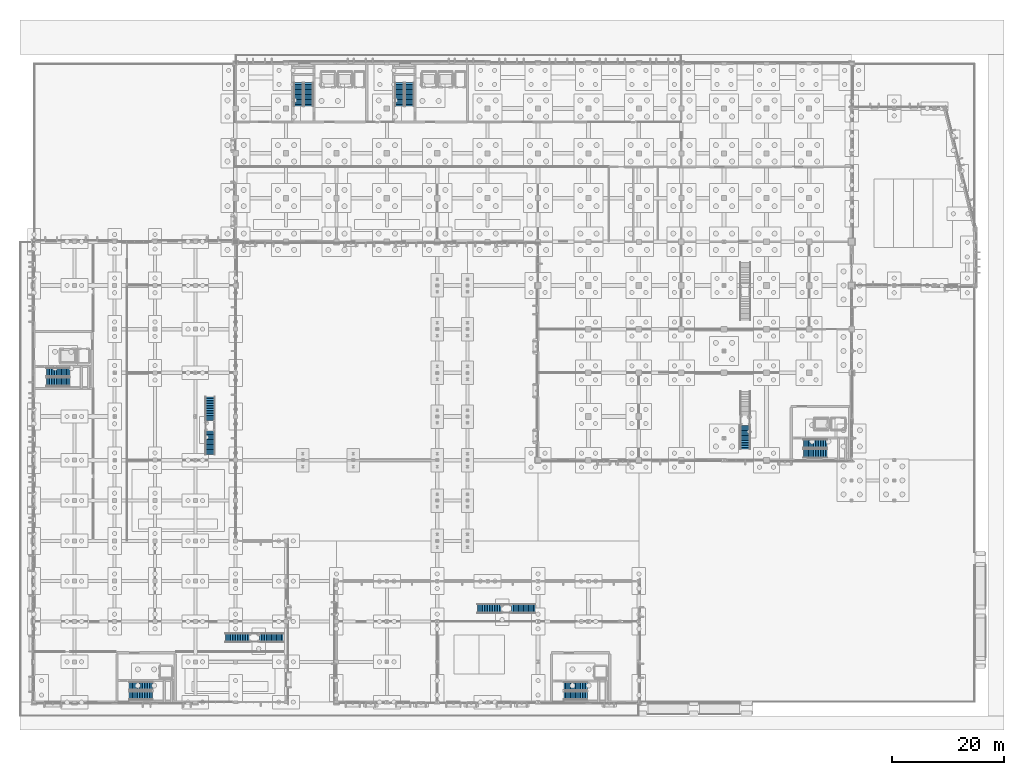
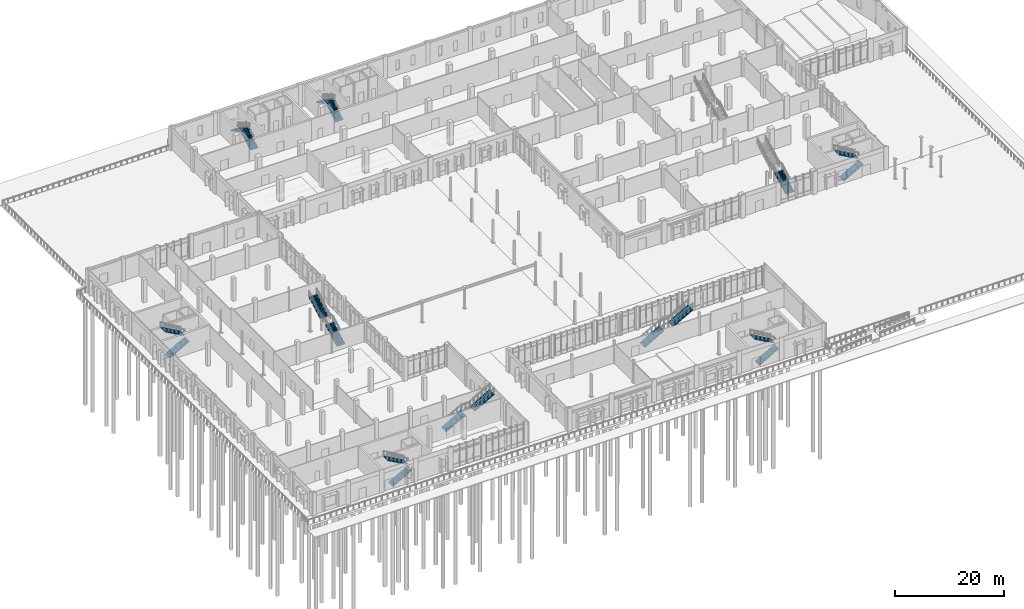
# One storey, part 71 of 94: 19 stair flights, 10 elements without a shape of their own.
"""IFC4 building model written with IfcOpenShell, lengths in metres."""

from ifc_helpers import new_model, si_unit, direction, frame, origin, place, context, subcontext, project, spatial, polyline, outline, extrude, material, type_object, element, aggregate, save


model = new_model("IFC4")

# Units and contexts
model_context = context("Model", 3, precision=1e-05, world=origin(), true_north=direction((0.0, 1.0)))
body_context = subcontext(model_context, "Body", "Model", "MODEL_VIEW")
ifc_project = project(units=[si_unit("LENGTHUNIT", "METRE"), si_unit("AREAUNIT", "SQUARE_METRE"), si_unit("VOLUMEUNIT", "CUBIC_METRE"), si_unit("PLANEANGLEUNIT", "RADIAN"), si_unit("MASSUNIT", "GRAM", prefix="KILO")], contexts=[model_context])

# Site, building, storey
site_placement = place(None, origin())
site = spatial("IfcSite", under=ifc_project, at=site_placement, CompositionType="ELEMENT")
building_placement = place(site_placement, origin())
building = spatial("IfcBuilding", under=site, at=building_placement, Name="Vervanel Yard Central Library", CompositionType="ELEMENT")
storey_placement = place(building_placement, origin())
storey = spatial("IfcBuildingStorey", under=building, at=storey_placement, Name="L00", CompositionType="ELEMENT", Elevation=0.0)

# Stair, stair flight
ifc_material_1 = material(Name="Concrete C45/55", Category="concrete")
stair_type_1 = type_object("IfcStairType", Name="Architectural Feature Straight Stair FS-ST-01", PredefinedType="STRAIGHT_RUN_STAIR", material=ifc_material_1)
stair_1_placement = place(storey_placement, origin())
stair_1 = element("IfcStair", 1, at=stair_1_placement, inside=storey, type_object=stair_type_1, Name="L00 Feature Stair FS-ST-01", PredefinedType="STRAIGHT_RUN_STAIR")
stair_flight_type_1 = type_object("IfcStairFlightType", Name="Feature Stair Flight FS-ST-01-FL", PredefinedType="STRAIGHT", material=ifc_material_1)
stair_flight_1_placement = place(storey_placement, frame((127.0, 45.199951171875, 0.0), z_axis=(0.0, 0.0, 1.0), x_axis=(0.0, 1.0, 0.0)))
stair_flight_1 = element("IfcStairFlight", 2, at=stair_flight_1_placement, type_object=stair_flight_type_1, Name="FST-01-L00 Flight 1", NumberOfRisers=15, NumberOfTreads=14, PredefinedType="STRAIGHT", RiserHeight=0.17, TreadLength=0.3, context=body_context, shape_type="SweptSolid", body=[
    extrude(outline(polyline([(0.0, 0.0), (0.0, 0.169921875), (0.300048828125, 0.169921875), (0.300048828125, 0.340087890625), (0.60009765625, 0.340087890625), (0.60009765625, 0.510009765625), (0.89990234375, 0.510009765625), (0.89990234375, 0.679931640625), (1.199951171875, 0.679931640625), (1.199951171875, 0.85009765625), (1.5, 0.85009765625), (1.5, 1.02001953125), (1.800048828125, 1.02001953125), (1.800048828125, 1.18994140625), (2.10009765625, 1.18994140625), (2.10009765625, 1.360107421875), (2.39990234375, 1.360107421875), (2.39990234375, 1.530029296875), (2.699951171875, 1.530029296875), (2.699951171875, 1.699951171875), (3.0, 1.699951171875), (3.0, 1.8701171875), (3.300048828125, 1.8701171875), (3.300048828125, 2.0400390625), (3.60009765625, 2.0400390625), (3.60009765625, 2.2099609375), (3.89990234375, 2.2099609375), (3.89990234375, 2.3798828125), (4.199951171875, 2.3798828125), (4.199951171875, 2.550048828125), (4.199951171875, 2.150146484375), (0.405517578125, 0.0), (0.0, 0.0)])), frame((0.0, 0.89990234375, 0.0), z_axis=(0.0, -1.0, 0.0), x_axis=(1.0, 0.0, 0.0)), (0.0, 0.0, 1.0), 1.800048828125),
])
aggregate(stair_1, [stair_flight_1])

# Stair, stair flights
stair_type_2 = type_object("IfcStairType", Name="Architectural Feature Straight Stair FS-ST-05", PredefinedType="STRAIGHT_RUN_STAIR", material=ifc_material_1)
stair_2_placement = place(storey_placement, origin())
stair_2 = element("IfcStair", 3, at=stair_2_placement, inside=storey, type_object=stair_type_2, Name="L00 Feature Stair FS-ST-05", PredefinedType="STRAIGHT_RUN_STAIR")
stair_flight_type_2 = type_object("IfcStairFlightType", Name="Feature Stair Flight FS-ST-05-FL", PredefinedType="STRAIGHT", material=ifc_material_1)
stair_flight_2_placement = place(storey_placement, frame((31.449951171875, 44.199951171875, 0.0), z_axis=(0.0, 0.0, 1.0), x_axis=(0.0, 1.0, 0.0)))
stair_flight_2 = element("IfcStairFlight", 4, at=stair_flight_2_placement, type_object=stair_flight_type_2, Name="FST-05-L00 Flight 1", NumberOfRisers=15, NumberOfTreads=14, PredefinedType="STRAIGHT", RiserHeight=0.17, TreadLength=0.3, context=body_context, shape_type="SweptSolid", body=[
    extrude(outline(polyline([(0.0, 0.0), (0.0, 0.169921875), (0.300048828125, 0.169921875), (0.300048828125, 0.340087890625), (0.60009765625, 0.340087890625), (0.60009765625, 0.510009765625), (0.89990234375, 0.510009765625), (0.89990234375, 0.679931640625), (1.199951171875, 0.679931640625), (1.199951171875, 0.85009765625), (1.5, 0.85009765625), (1.5, 1.02001953125), (1.800048828125, 1.02001953125), (1.800048828125, 1.18994140625), (2.10009765625, 1.18994140625), (2.10009765625, 1.360107421875), (2.39990234375, 1.360107421875), (2.39990234375, 1.530029296875), (2.699951171875, 1.530029296875), (2.699951171875, 1.699951171875), (3.0, 1.699951171875), (3.0, 1.8701171875), (3.300048828125, 1.8701171875), (3.300048828125, 2.0400390625), (3.60009765625, 2.0400390625), (3.60009765625, 2.2099609375), (3.89990234375, 2.2099609375), (3.89990234375, 2.3798828125), (4.199951171875, 2.3798828125), (4.199951171875, 2.550048828125), (4.199951171875, 2.150146484375), (0.405517578125, 0.0), (0.0, 0.0)])), frame((0.0, 0.85986328125, 0.0), z_axis=(0.0, -1.0, 0.0), x_axis=(1.0, 0.0, 0.0)), (0.0, 0.0, 1.0), 1.719970703125),
])
stair_flight_3_placement = place(storey_placement, frame((31.449951171875, 50.300048828125, 2.550048828125), z_axis=(0.0, 0.0, 1.0), x_axis=(0.0, 1.0, 0.0)))
stair_flight_3 = element("IfcStairFlight", 5, at=stair_flight_3_placement, type_object=stair_flight_type_2, Name="FST-05-L00 Flight 2", NumberOfRisers=15, NumberOfTreads=14, PredefinedType="STRAIGHT", RiserHeight=0.17, TreadLength=0.3, context=body_context, shape_type="SweptSolid", body=[
    extrude(outline(polyline([(0.0, 0.0), (0.0, 0.169921875), (0.300048828125, 0.169921875), (0.300048828125, 0.340087890625), (0.60009765625, 0.340087890625), (0.60009765625, 0.510009765625), (0.89990234375, 0.510009765625), (0.89990234375, 0.679931640625), (1.199951171875, 0.679931640625), (1.199951171875, 0.85009765625), (1.5, 0.85009765625), (1.5, 1.02001953125), (1.800048828125, 1.02001953125), (1.800048828125, 1.18994140625), (2.10009765625, 1.18994140625), (2.10009765625, 1.360107421875), (2.39990234375, 1.360107421875), (2.39990234375, 1.530029296875), (2.699951171875, 1.530029296875), (2.699951171875, 1.699951171875), (3.0, 1.699951171875), (3.0, 1.8701171875), (3.300048828125, 1.8701171875), (3.300048828125, 2.0400390625), (3.60009765625, 2.0400390625), (3.60009765625, 2.2099609375), (3.89990234375, 2.2099609375), (3.89990234375, 2.3798828125), (4.199951171875, 2.3798828125), (4.199951171875, 2.550048828125), (4.199951171875, 2.150146484375), (0.405517578125, 0.0), (0.0, 0.0)])), frame((0.0, 0.85986328125, 0.0), z_axis=(0.0, -1.0, 0.0), x_axis=(1.0, 0.0, 0.0)), (0.0, 0.0, 1.0), 1.719970703125),
])
aggregate(stair_2, [stair_flight_2, stair_flight_3])

stair_type_3 = type_object("IfcStairType", Name="Architectural Feature Straight Stair FS-ST-06", PredefinedType="STRAIGHT_RUN_STAIR", material=ifc_material_1)
stair_3_placement = place(storey_placement, origin())
stair_3 = element("IfcStair", 6, at=stair_3_placement, inside=storey, type_object=stair_type_3, Name="L00 Feature Stair FS-ST-06", PredefinedType="STRAIGHT_RUN_STAIR")
stair_flight_type_3 = type_object("IfcStairFlightType", Name="Feature Stair Flight FS-ST-06-FL", PredefinedType="STRAIGHT", material=ifc_material_1)
stair_flight_4_placement = place(storey_placement, frame((79.199951171875, 16.699951171875, 0.0), z_axis=(0.0, 0.0, 1.0), x_axis=(1.0, 0.0, 0.0)))
stair_flight_4 = element("IfcStairFlight", 7, at=stair_flight_4_placement, type_object=stair_flight_type_3, Name="FST-06-L00 Flight 1", NumberOfRisers=15, NumberOfTreads=14, PredefinedType="STRAIGHT", RiserHeight=0.17, TreadLength=0.3, context=body_context, shape_type="SweptSolid", body=[
    extrude(outline(polyline([(0.0, 0.0), (0.0, 0.169921875), (0.300048828125, 0.169921875), (0.300048828125, 0.340087890625), (0.60009765625, 0.340087890625), (0.60009765625, 0.510009765625), (0.89990234375, 0.510009765625), (0.89990234375, 0.679931640625), (1.199951171875, 0.679931640625), (1.199951171875, 0.85009765625), (1.5, 0.85009765625), (1.5, 1.02001953125), (1.800048828125, 1.02001953125), (1.800048828125, 1.18994140625), (2.10009765625, 1.18994140625), (2.10009765625, 1.360107421875), (2.39990234375, 1.360107421875), (2.39990234375, 1.530029296875), (2.699951171875, 1.530029296875), (2.699951171875, 1.699951171875), (3.0, 1.699951171875), (3.0, 1.8701171875), (3.300048828125, 1.8701171875), (3.300048828125, 2.0400390625), (3.60009765625, 2.0400390625), (3.60009765625, 2.2099609375), (3.89990234375, 2.2099609375), (3.89990234375, 2.3798828125), (4.199951171875, 2.3798828125), (4.199951171875, 2.550048828125), (4.199951171875, 2.150146484375), (0.405517578125, 0.0), (0.0, 0.0)])), frame((0.0, 0.830078125, 0.0), z_axis=(0.0, -1.0, 0.0), x_axis=(1.0, 0.0, 0.0)), (0.0, 0.0, 1.0), 1.659912109375),
])
stair_flight_5_placement = place(storey_placement, frame((85.300048828125, 16.699951171875, 2.550048828125), z_axis=(0.0, 0.0, 1.0), x_axis=(1.0, 0.0, 0.0)))
stair_flight_5 = element("IfcStairFlight", 8, at=stair_flight_5_placement, type_object=stair_flight_type_3, Name="FST-06-L00 Flight 2", NumberOfRisers=15, NumberOfTreads=14, PredefinedType="STRAIGHT", RiserHeight=0.17, TreadLength=0.3, context=body_context, shape_type="SweptSolid", body=[
    extrude(outline(polyline([(0.0, 0.0), (0.0, 0.169921875), (0.300048828125, 0.169921875), (0.300048828125, 0.340087890625), (0.60009765625, 0.340087890625), (0.60009765625, 0.510009765625), (0.89990234375, 0.510009765625), (0.89990234375, 0.679931640625), (1.199951171875, 0.679931640625), (1.199951171875, 0.85009765625), (1.5, 0.85009765625), (1.5, 1.02001953125), (1.800048828125, 1.02001953125), (1.800048828125, 1.18994140625), (2.10009765625, 1.18994140625), (2.10009765625, 1.360107421875), (2.39990234375, 1.360107421875), (2.39990234375, 1.530029296875), (2.699951171875, 1.530029296875), (2.699951171875, 1.699951171875), (3.0, 1.699951171875), (3.0, 1.8701171875), (3.300048828125, 1.8701171875), (3.300048828125, 2.0400390625), (3.60009765625, 2.0400390625), (3.60009765625, 2.2099609375), (3.89990234375, 2.2099609375), (3.89990234375, 2.3798828125), (4.199951171875, 2.3798828125), (4.199951171875, 2.550048828125), (4.199951171875, 2.150146484375), (0.405517578125, 0.0), (0.0, 0.0)])), frame((0.0, 0.830078125, 0.0), z_axis=(0.0, -1.0, 0.0), x_axis=(1.0, 0.0, 0.0)), (0.0, 0.0, 1.0), 1.659912109375),
])
aggregate(stair_3, [stair_flight_4, stair_flight_5])

stair_type_4 = type_object("IfcStairType", Name="Architectural Feature Straight Stair FS-ST-07", PredefinedType="STRAIGHT_RUN_STAIR", material=ifc_material_1)
stair_4_placement = place(storey_placement, origin())
stair_4 = element("IfcStair", 9, at=stair_4_placement, inside=storey, type_object=stair_type_4, Name="L00 Feature Stair FS-ST-07", PredefinedType="STRAIGHT_RUN_STAIR")
stair_flight_type_4 = type_object("IfcStairFlightType", Name="Feature Stair Flight FS-ST-07-FL", PredefinedType="STRAIGHT", material=ifc_material_1)
stair_flight_6_placement = place(storey_placement, frame((34.199951171875, 11.5, 0.0), z_axis=(0.0, 0.0, 1.0), x_axis=(1.0, 0.0, 0.0)))
stair_flight_6 = element("IfcStairFlight", 10, at=stair_flight_6_placement, type_object=stair_flight_type_4, Name="FST-07-L00 Flight 1", NumberOfRisers=15, NumberOfTreads=14, PredefinedType="STRAIGHT", RiserHeight=0.17, TreadLength=0.3, context=body_context, shape_type="SweptSolid", body=[
    extrude(outline(polyline([(0.0, 0.0), (0.0, 0.169921875), (0.300048828125, 0.169921875), (0.300048828125, 0.340087890625), (0.60009765625, 0.340087890625), (0.60009765625, 0.510009765625), (0.89990234375, 0.510009765625), (0.89990234375, 0.679931640625), (1.199951171875, 0.679931640625), (1.199951171875, 0.85009765625), (1.5, 0.85009765625), (1.5, 1.02001953125), (1.800048828125, 1.02001953125), (1.800048828125, 1.18994140625), (2.10009765625, 1.18994140625), (2.10009765625, 1.360107421875), (2.39990234375, 1.360107421875), (2.39990234375, 1.530029296875), (2.699951171875, 1.530029296875), (2.699951171875, 1.699951171875), (3.0, 1.699951171875), (3.0, 1.8701171875), (3.300048828125, 1.8701171875), (3.300048828125, 2.0400390625), (3.60009765625, 2.0400390625), (3.60009765625, 2.2099609375), (3.89990234375, 2.2099609375), (3.89990234375, 2.3798828125), (4.199951171875, 2.3798828125), (4.199951171875, 2.550048828125), (4.199951171875, 2.150146484375), (0.405517578125, 0.0), (0.0, 0.0)])), frame((0.0, 0.81494140625, 0.0), z_axis=(0.0, -1.0, 0.0), x_axis=(1.0, 0.0, 0.0)), (0.0, 0.0, 1.0), 1.6298828125),
])
stair_flight_7_placement = place(storey_placement, frame((40.300048828125, 11.5, 2.550048828125), z_axis=(0.0, 0.0, 1.0), x_axis=(1.0, 0.0, 0.0)))
stair_flight_7 = element("IfcStairFlight", 11, at=stair_flight_7_placement, type_object=stair_flight_type_4, Name="FST-07-L00 Flight 2", NumberOfRisers=15, NumberOfTreads=14, PredefinedType="STRAIGHT", RiserHeight=0.17, TreadLength=0.3, context=body_context, shape_type="SweptSolid", body=[
    extrude(outline(polyline([(0.0, 0.0), (0.0, 0.169921875), (0.300048828125, 0.169921875), (0.300048828125, 0.340087890625), (0.60009765625, 0.340087890625), (0.60009765625, 0.510009765625), (0.89990234375, 0.510009765625), (0.89990234375, 0.679931640625), (1.199951171875, 0.679931640625), (1.199951171875, 0.85009765625), (1.5, 0.85009765625), (1.5, 1.02001953125), (1.800048828125, 1.02001953125), (1.800048828125, 1.18994140625), (2.10009765625, 1.18994140625), (2.10009765625, 1.360107421875), (2.39990234375, 1.360107421875), (2.39990234375, 1.530029296875), (2.699951171875, 1.530029296875), (2.699951171875, 1.699951171875), (3.0, 1.699951171875), (3.0, 1.8701171875), (3.300048828125, 1.8701171875), (3.300048828125, 2.0400390625), (3.60009765625, 2.0400390625), (3.60009765625, 2.2099609375), (3.89990234375, 2.2099609375), (3.89990234375, 2.3798828125), (4.199951171875, 2.3798828125), (4.199951171875, 2.550048828125), (4.199951171875, 2.150146484375), (0.405517578125, 0.0), (0.0, 0.0)])), frame((0.0, 0.81494140625, 0.0), z_axis=(0.0, -1.0, 0.0), x_axis=(1.0, 0.0, 0.0)), (0.0, 0.0, 1.0), 1.6298828125),
])
aggregate(stair_4, [stair_flight_6, stair_flight_7])

ifc_material_2 = material(Name="Concrete C40/50", Category="concrete")
stair_type_5 = type_object("IfcStairType", Name="Protected Core Dog-Leg Stair ST-01", PredefinedType="HALF_TURN_STAIR", material=ifc_material_2)
stair_5_placement = place(storey_placement, origin())
stair_5 = element("IfcStair", 12, at=stair_5_placement, inside=storey, type_object=stair_type_5, Name="L00 CORE-A Protected Exit Stair", PredefinedType="HALF_TURN_STAIR")
stair_flight_type_5 = type_object("IfcStairFlightType", Name="Protected Stair Flight ST-01-FL", PredefinedType="STRAIGHT", material=ifc_material_2)
stair_flight_8_placement = place(storey_placement, frame((49.02490234375, 106.39990234375, 0.0), z_axis=(0.0, 0.0, 1.0), x_axis=(0.0, 1.0, 0.0)))
stair_flight_8 = element("IfcStairFlight", 13, at=stair_flight_8_placement, type_object=stair_flight_type_5, Name="ST-01 flight 1", NumberOfRisers=15, NumberOfTreads=14, PredefinedType="STRAIGHT", RiserHeight=0.17, TreadLength=0.3, context=body_context, shape_type="SweptSolid", body=[
    extrude(outline(polyline([(0.0, 0.0), (0.0, 0.169921875), (0.300048828125, 0.169921875), (0.300048828125, 0.340087890625), (0.60009765625, 0.340087890625), (0.60009765625, 0.510009765625), (0.89990234375, 0.510009765625), (0.89990234375, 0.679931640625), (1.199951171875, 0.679931640625), (1.199951171875, 0.85009765625), (1.5, 0.85009765625), (1.5, 1.02001953125), (1.800048828125, 1.02001953125), (1.800048828125, 1.18994140625), (2.10009765625, 1.18994140625), (2.10009765625, 1.360107421875), (2.39990234375, 1.360107421875), (2.39990234375, 1.530029296875), (2.699951171875, 1.530029296875), (2.699951171875, 1.699951171875), (3.0, 1.699951171875), (3.0, 1.8701171875), (3.300048828125, 1.8701171875), (3.300048828125, 2.0400390625), (3.60009765625, 2.0400390625), (3.60009765625, 2.2099609375), (3.89990234375, 2.2099609375), (3.89990234375, 2.3798828125), (4.199951171875, 2.3798828125), (4.199951171875, 2.550048828125), (4.199951171875, 2.207763671875), (0.303955078125, 0.0), (0.0, 0.0)])), frame((0.0, 0.824951171875, 0.0), z_axis=(0.0, -1.0, 0.0), x_axis=(1.0, 0.0, 0.0)), (0.0, 0.0, 1.0), 1.64990234375),
])
stair_flight_9_placement = place(storey_placement, frame((47.215087890625, 110.60009765625, 2.550048828125), z_axis=(0.0, 0.0, 1.0), x_axis=(0.0, -1.0, 0.0)))
stair_flight_9 = element("IfcStairFlight", 14, at=stair_flight_9_placement, type_object=stair_flight_type_5, Name="ST-01 flight 2", NumberOfRisers=15, NumberOfTreads=14, PredefinedType="STRAIGHT", RiserHeight=0.17, TreadLength=0.3, context=body_context, shape_type="SweptSolid", body=[
    extrude(outline(polyline([(0.0, 0.0), (0.0, 0.169921875), (0.300048828125, 0.169921875), (0.300048828125, 0.340087890625), (0.60009765625, 0.340087890625), (0.60009765625, 0.510009765625), (0.89990234375, 0.510009765625), (0.89990234375, 0.679931640625), (1.199951171875, 0.679931640625), (1.199951171875, 0.85009765625), (1.5, 0.85009765625), (1.5, 1.02001953125), (1.800048828125, 1.02001953125), (1.800048828125, 1.18994140625), (2.10009765625, 1.18994140625), (2.10009765625, 1.360107421875), (2.39990234375, 1.360107421875), (2.39990234375, 1.530029296875), (2.699951171875, 1.530029296875), (2.699951171875, 1.699951171875), (3.0, 1.699951171875), (3.0, 1.8701171875), (3.300048828125, 1.8701171875), (3.300048828125, 2.0400390625), (3.60009765625, 2.0400390625), (3.60009765625, 2.2099609375), (3.89990234375, 2.2099609375), (3.89990234375, 2.3798828125), (4.199951171875, 2.3798828125), (4.199951171875, 2.550048828125), (4.199951171875, 2.207763671875), (0.303955078125, 0.0), (0.0, 0.0)])), frame((0.0, 0.824951171875, 0.0), z_axis=(0.0, -1.0, 0.0), x_axis=(1.0, 0.0, 0.0)), (0.0, 0.0, 1.0), 1.64990234375),
])
aggregate(stair_5, [stair_flight_8, stair_flight_9])

stair_type_6 = type_object("IfcStairType", Name="Protected Core Dog-Leg Stair ST-02", PredefinedType="HALF_TURN_STAIR", material=ifc_material_2)
stair_6_placement = place(storey_placement, origin())
stair_6 = element("IfcStair", 15, at=stair_6_placement, inside=storey, type_object=stair_type_6, Name="L00 CORE-B Protected Exit Stair", PredefinedType="HALF_TURN_STAIR")
stair_flight_type_6 = type_object("IfcStairFlightType", Name="Protected Stair Flight ST-02-FL", PredefinedType="STRAIGHT", material=ifc_material_2)
stair_flight_10_placement = place(storey_placement, frame((67.0400390625, 106.39990234375, 0.0), z_axis=(0.0, 0.0, 1.0), x_axis=(0.0, 1.0, 0.0)))
stair_flight_10 = element("IfcStairFlight", 16, at=stair_flight_10_placement, type_object=stair_flight_type_6, Name="ST-02 flight 1", NumberOfRisers=15, NumberOfTreads=14, PredefinedType="STRAIGHT", RiserHeight=0.17, TreadLength=0.3, context=body_context, shape_type="SweptSolid", body=[
    extrude(outline(polyline([(0.0, 0.0), (0.0, 0.169921875), (0.300048828125, 0.169921875), (0.300048828125, 0.340087890625), (0.60009765625, 0.340087890625), (0.60009765625, 0.510009765625), (0.89990234375, 0.510009765625), (0.89990234375, 0.679931640625), (1.199951171875, 0.679931640625), (1.199951171875, 0.85009765625), (1.5, 0.85009765625), (1.5, 1.02001953125), (1.800048828125, 1.02001953125), (1.800048828125, 1.18994140625), (2.10009765625, 1.18994140625), (2.10009765625, 1.360107421875), (2.39990234375, 1.360107421875), (2.39990234375, 1.530029296875), (2.699951171875, 1.530029296875), (2.699951171875, 1.699951171875), (3.0, 1.699951171875), (3.0, 1.8701171875), (3.300048828125, 1.8701171875), (3.300048828125, 2.0400390625), (3.60009765625, 2.0400390625), (3.60009765625, 2.2099609375), (3.89990234375, 2.2099609375), (3.89990234375, 2.3798828125), (4.199951171875, 2.3798828125), (4.199951171875, 2.550048828125), (4.199951171875, 2.207763671875), (0.303955078125, 0.0), (0.0, 0.0)])), frame((0.0, 0.81005859375, 0.0), z_axis=(0.0, -1.0, 0.0), x_axis=(1.0, 0.0, 0.0)), (0.0, 0.0, 1.0), 1.6201171875),
])
stair_flight_11_placement = place(storey_placement, frame((65.260009765625, 110.60009765625, 2.550048828125), z_axis=(0.0, 0.0, 1.0), x_axis=(0.0, -1.0, 0.0)))
stair_flight_11 = element("IfcStairFlight", 17, at=stair_flight_11_placement, type_object=stair_flight_type_6, Name="ST-02 flight 2", NumberOfRisers=15, NumberOfTreads=14, PredefinedType="STRAIGHT", RiserHeight=0.17, TreadLength=0.3, context=body_context, shape_type="SweptSolid", body=[
    extrude(outline(polyline([(0.0, 0.0), (0.0, 0.169921875), (0.300048828125, 0.169921875), (0.300048828125, 0.340087890625), (0.60009765625, 0.340087890625), (0.60009765625, 0.510009765625), (0.89990234375, 0.510009765625), (0.89990234375, 0.679931640625), (1.199951171875, 0.679931640625), (1.199951171875, 0.85009765625), (1.5, 0.85009765625), (1.5, 1.02001953125), (1.800048828125, 1.02001953125), (1.800048828125, 1.18994140625), (2.10009765625, 1.18994140625), (2.10009765625, 1.360107421875), (2.39990234375, 1.360107421875), (2.39990234375, 1.530029296875), (2.699951171875, 1.530029296875), (2.699951171875, 1.699951171875), (3.0, 1.699951171875), (3.0, 1.8701171875), (3.300048828125, 1.8701171875), (3.300048828125, 2.0400390625), (3.60009765625, 2.0400390625), (3.60009765625, 2.2099609375), (3.89990234375, 2.2099609375), (3.89990234375, 2.3798828125), (4.199951171875, 2.3798828125), (4.199951171875, 2.550048828125), (4.199951171875, 2.207763671875), (0.303955078125, 0.0), (0.0, 0.0)])), frame((0.0, 0.81005859375, 0.0), z_axis=(0.0, -1.0, 0.0), x_axis=(1.0, 0.0, 0.0)), (0.0, 0.0, 1.0), 1.6201171875),
])
aggregate(stair_6, [stair_flight_10, stair_flight_11])

stair_type_7 = type_object("IfcStairType", Name="Protected Core Dog-Leg Stair ST-03", PredefinedType="HALF_TURN_STAIR", material=ifc_material_2)
stair_7_placement = place(storey_placement, origin())
stair_7 = element("IfcStair", 18, at=stair_7_placement, inside=storey, type_object=stair_type_7, Name="L00 CORE-C Protected Exit Stair", PredefinedType="HALF_TURN_STAIR")
stair_flight_type_7 = type_object("IfcStairFlightType", Name="Protected Stair Flight ST-03-FL", PredefinedType="STRAIGHT", material=ifc_material_2)
stair_flight_12_placement = place(storey_placement, frame((2.199951171875, 57.18994140625, 0.0), z_axis=(0.0, 0.0, 1.0), x_axis=(1.0, 0.0, 0.0)))
stair_flight_12 = element("IfcStairFlight", 19, at=stair_flight_12_placement, type_object=stair_flight_type_7, Name="ST-03 flight 1", NumberOfRisers=15, NumberOfTreads=14, PredefinedType="STRAIGHT", RiserHeight=0.17, TreadLength=0.3, context=body_context, shape_type="SweptSolid", body=[
    extrude(outline(polyline([(0.0, 0.0), (0.0, 0.169921875), (0.300048828125, 0.169921875), (0.300048828125, 0.340087890625), (0.60009765625, 0.340087890625), (0.60009765625, 0.510009765625), (0.89990234375, 0.510009765625), (0.89990234375, 0.679931640625), (1.199951171875, 0.679931640625), (1.199951171875, 0.85009765625), (1.5, 0.85009765625), (1.5, 1.02001953125), (1.800048828125, 1.02001953125), (1.800048828125, 1.18994140625), (2.10009765625, 1.18994140625), (2.10009765625, 1.360107421875), (2.39990234375, 1.360107421875), (2.39990234375, 1.530029296875), (2.699951171875, 1.530029296875), (2.699951171875, 1.699951171875), (3.0, 1.699951171875), (3.0, 1.8701171875), (3.300048828125, 1.8701171875), (3.300048828125, 2.0400390625), (3.60009765625, 2.0400390625), (3.60009765625, 2.2099609375), (3.89990234375, 2.2099609375), (3.89990234375, 2.3798828125), (4.199951171875, 2.3798828125), (4.199951171875, 2.550048828125), (4.199951171875, 2.207763671875), (0.303955078125, 0.0), (0.0, 0.0)])), frame((0.0, 0.7900390625, 0.0), z_axis=(0.0, -1.0, 0.0), x_axis=(1.0, 0.0, 0.0)), (0.0, 0.0, 1.0), 1.580078125),
])
stair_flight_13_placement = place(storey_placement, frame((6.39990234375, 58.929931640625, 2.550048828125), z_axis=(0.0, 0.0, 1.0), x_axis=(-1.0, 0.0, 0.0)))
stair_flight_13 = element("IfcStairFlight", 20, at=stair_flight_13_placement, type_object=stair_flight_type_7, Name="ST-03 flight 2", NumberOfRisers=15, NumberOfTreads=14, PredefinedType="STRAIGHT", RiserHeight=0.17, TreadLength=0.3, context=body_context, shape_type="SweptSolid", body=[
    extrude(outline(polyline([(0.0, 0.0), (0.0, 0.169921875), (0.300048828125, 0.169921875), (0.300048828125, 0.340087890625), (0.60009765625, 0.340087890625), (0.60009765625, 0.510009765625), (0.89990234375, 0.510009765625), (0.89990234375, 0.679931640625), (1.199951171875, 0.679931640625), (1.199951171875, 0.85009765625), (1.5, 0.85009765625), (1.5, 1.02001953125), (1.800048828125, 1.02001953125), (1.800048828125, 1.18994140625), (2.10009765625, 1.18994140625), (2.10009765625, 1.360107421875), (2.39990234375, 1.360107421875), (2.39990234375, 1.530029296875), (2.699951171875, 1.530029296875), (2.699951171875, 1.699951171875), (3.0, 1.699951171875), (3.0, 1.8701171875), (3.300048828125, 1.8701171875), (3.300048828125, 2.0400390625), (3.60009765625, 2.0400390625), (3.60009765625, 2.2099609375), (3.89990234375, 2.2099609375), (3.89990234375, 2.3798828125), (4.199951171875, 2.3798828125), (4.199951171875, 2.550048828125), (4.199951171875, 2.207763671875), (0.303955078125, 0.0), (0.0, 0.0)])), frame((0.0, 0.7900390625, 0.0), z_axis=(0.0, -1.0, 0.0), x_axis=(1.0, 0.0, 0.0)), (0.0, 0.0, 1.0), 1.580078125),
])
aggregate(stair_7, [stair_flight_12, stair_flight_13])

stair_type_8 = type_object("IfcStairType", Name="Protected Core Dog-Leg Stair ST-04", PredefinedType="HALF_TURN_STAIR", material=ifc_material_2)
stair_8_placement = place(storey_placement, origin())
stair_8 = element("IfcStair", 21, at=stair_8_placement, inside=storey, type_object=stair_type_8, Name="L00 CORE-D Protected Exit Stair", PredefinedType="HALF_TURN_STAIR")
stair_flight_type_8 = type_object("IfcStairFlightType", Name="Protected Stair Flight ST-04-FL", PredefinedType="STRAIGHT", material=ifc_material_2)
stair_flight_14_placement = place(storey_placement, frame((17.0, 1.175048828125, 0.0), z_axis=(0.0, 0.0, 1.0), x_axis=(1.0, 0.0, 0.0)))
stair_flight_14 = element("IfcStairFlight", 22, at=stair_flight_14_placement, type_object=stair_flight_type_8, Name="ST-04 flight 1", NumberOfRisers=15, NumberOfTreads=14, PredefinedType="STRAIGHT", RiserHeight=0.17, TreadLength=0.3, context=body_context, shape_type="SweptSolid", body=[
    extrude(outline(polyline([(0.0, 0.0), (0.0, 0.169921875), (0.300048828125, 0.169921875), (0.300048828125, 0.340087890625), (0.60009765625, 0.340087890625), (0.60009765625, 0.510009765625), (0.89990234375, 0.510009765625), (0.89990234375, 0.679931640625), (1.199951171875, 0.679931640625), (1.199951171875, 0.85009765625), (1.5, 0.85009765625), (1.5, 1.02001953125), (1.800048828125, 1.02001953125), (1.800048828125, 1.18994140625), (2.10009765625, 1.18994140625), (2.10009765625, 1.360107421875), (2.39990234375, 1.360107421875), (2.39990234375, 1.530029296875), (2.699951171875, 1.530029296875), (2.699951171875, 1.699951171875), (3.0, 1.699951171875), (3.0, 1.8701171875), (3.300048828125, 1.8701171875), (3.300048828125, 2.0400390625), (3.60009765625, 2.0400390625), (3.60009765625, 2.2099609375), (3.89990234375, 2.2099609375), (3.89990234375, 2.3798828125), (4.199951171875, 2.3798828125), (4.199951171875, 2.550048828125), (4.199951171875, 2.207763671875), (0.303955078125, 0.0), (0.0, 0.0)])), frame((0.0, 0.77490234375, 0.0), z_axis=(0.0, -1.0, 0.0), x_axis=(1.0, 0.0, 0.0)), (0.0, 0.0, 1.0), 1.550048828125),
])
stair_flight_15_placement = place(storey_placement, frame((21.199951171875, 2.885009765625, 2.550048828125), z_axis=(0.0, 0.0, 1.0), x_axis=(-1.0, 0.0, 0.0)))
stair_flight_15 = element("IfcStairFlight", 23, at=stair_flight_15_placement, type_object=stair_flight_type_8, Name="ST-04 flight 2", NumberOfRisers=15, NumberOfTreads=14, PredefinedType="STRAIGHT", RiserHeight=0.17, TreadLength=0.3, context=body_context, shape_type="SweptSolid", body=[
    extrude(outline(polyline([(0.0, 0.0), (0.0, 0.169921875), (0.300048828125, 0.169921875), (0.300048828125, 0.340087890625), (0.60009765625, 0.340087890625), (0.60009765625, 0.510009765625), (0.89990234375, 0.510009765625), (0.89990234375, 0.679931640625), (1.199951171875, 0.679931640625), (1.199951171875, 0.85009765625), (1.5, 0.85009765625), (1.5, 1.02001953125), (1.800048828125, 1.02001953125), (1.800048828125, 1.18994140625), (2.10009765625, 1.18994140625), (2.10009765625, 1.360107421875), (2.39990234375, 1.360107421875), (2.39990234375, 1.530029296875), (2.699951171875, 1.530029296875), (2.699951171875, 1.699951171875), (3.0, 1.699951171875), (3.0, 1.8701171875), (3.300048828125, 1.8701171875), (3.300048828125, 2.0400390625), (3.60009765625, 2.0400390625), (3.60009765625, 2.2099609375), (3.89990234375, 2.2099609375), (3.89990234375, 2.3798828125), (4.199951171875, 2.3798828125), (4.199951171875, 2.550048828125), (4.199951171875, 2.207763671875), (0.303955078125, 0.0), (0.0, 0.0)])), frame((0.0, 0.77490234375, 0.0), z_axis=(0.0, -1.0, 0.0), x_axis=(1.0, 0.0, 0.0)), (0.0, 0.0, 1.0), 1.550048828125),
])
aggregate(stair_8, [stair_flight_14, stair_flight_15])

stair_type_9 = type_object("IfcStairType", Name="Protected Core Dog-Leg Stair ST-05", PredefinedType="HALF_TURN_STAIR", material=ifc_material_2)
stair_9_placement = place(storey_placement, origin())
stair_9 = element("IfcStair", 24, at=stair_9_placement, inside=storey, type_object=stair_type_9, Name="L00 CORE-E Protected Exit Stair", PredefinedType="HALF_TURN_STAIR")
stair_flight_type_9 = type_object("IfcStairFlightType", Name="Protected Stair Flight ST-05-FL", PredefinedType="STRAIGHT", material=ifc_material_2)
stair_flight_16_placement = place(storey_placement, frame((137.39990234375, 44.39990234375, 0.0), z_axis=(0.0, 0.0, 1.0), x_axis=(1.0, 0.0, 0.0)))
stair_flight_16 = element("IfcStairFlight", 25, at=stair_flight_16_placement, type_object=stair_flight_type_9, Name="ST-05 flight 1", NumberOfRisers=15, NumberOfTreads=14, PredefinedType="STRAIGHT", RiserHeight=0.17, TreadLength=0.3, context=body_context, shape_type="SweptSolid", body=[
    extrude(outline(polyline([(0.0, 0.0), (0.0, 0.169921875), (0.300048828125, 0.169921875), (0.300048828125, 0.340087890625), (0.60009765625, 0.340087890625), (0.60009765625, 0.510009765625), (0.89990234375, 0.510009765625), (0.89990234375, 0.679931640625), (1.199951171875, 0.679931640625), (1.199951171875, 0.85009765625), (1.5, 0.85009765625), (1.5, 1.02001953125), (1.800048828125, 1.02001953125), (1.800048828125, 1.18994140625), (2.10009765625, 1.18994140625), (2.10009765625, 1.360107421875), (2.39990234375, 1.360107421875), (2.39990234375, 1.530029296875), (2.699951171875, 1.530029296875), (2.699951171875, 1.699951171875), (3.0, 1.699951171875), (3.0, 1.8701171875), (3.300048828125, 1.8701171875), (3.300048828125, 2.0400390625), (3.60009765625, 2.0400390625), (3.60009765625, 2.2099609375), (3.89990234375, 2.2099609375), (3.89990234375, 2.3798828125), (4.199951171875, 2.3798828125), (4.199951171875, 2.550048828125), (4.199951171875, 2.207763671875), (0.303955078125, 0.0), (0.0, 0.0)])), frame((0.0, 0.800048828125, 0.0), z_axis=(0.0, -1.0, 0.0), x_axis=(1.0, 0.0, 0.0)), (0.0, 0.0, 1.0), 1.60009765625),
])
stair_flight_17_placement = place(storey_placement, frame((141.60009765625, 46.159912109375, 2.550048828125), z_axis=(0.0, 0.0, 1.0), x_axis=(-1.0, 0.0, 0.0)))
stair_flight_17 = element("IfcStairFlight", 26, at=stair_flight_17_placement, type_object=stair_flight_type_9, Name="ST-05 flight 2", NumberOfRisers=15, NumberOfTreads=14, PredefinedType="STRAIGHT", RiserHeight=0.17, TreadLength=0.3, context=body_context, shape_type="SweptSolid", body=[
    extrude(outline(polyline([(0.0, 0.0), (0.0, 0.169921875), (0.300048828125, 0.169921875), (0.300048828125, 0.340087890625), (0.60009765625, 0.340087890625), (0.60009765625, 0.510009765625), (0.89990234375, 0.510009765625), (0.89990234375, 0.679931640625), (1.199951171875, 0.679931640625), (1.199951171875, 0.85009765625), (1.5, 0.85009765625), (1.5, 1.02001953125), (1.800048828125, 1.02001953125), (1.800048828125, 1.18994140625), (2.10009765625, 1.18994140625), (2.10009765625, 1.360107421875), (2.39990234375, 1.360107421875), (2.39990234375, 1.530029296875), (2.699951171875, 1.530029296875), (2.699951171875, 1.699951171875), (3.0, 1.699951171875), (3.0, 1.8701171875), (3.300048828125, 1.8701171875), (3.300048828125, 2.0400390625), (3.60009765625, 2.0400390625), (3.60009765625, 2.2099609375), (3.89990234375, 2.2099609375), (3.89990234375, 2.3798828125), (4.199951171875, 2.3798828125), (4.199951171875, 2.550048828125), (4.199951171875, 2.207763671875), (0.303955078125, 0.0), (0.0, 0.0)])), frame((0.0, 0.800048828125, 0.0), z_axis=(0.0, -1.0, 0.0), x_axis=(1.0, 0.0, 0.0)), (0.0, 0.0, 1.0), 1.60009765625),
])
aggregate(stair_9, [stair_flight_16, stair_flight_17])

stair_type_10 = type_object("IfcStairType", Name="Protected Core Dog-Leg Stair ST-06", PredefinedType="HALF_TURN_STAIR", material=ifc_material_2)
stair_10_placement = place(storey_placement, origin())
stair_10 = element("IfcStair", 27, at=stair_10_placement, inside=storey, type_object=stair_type_10, Name="L00 CORE-F Protected Exit Stair", PredefinedType="HALF_TURN_STAIR")
stair_flight_type_10 = type_object("IfcStairFlightType", Name="Protected Stair Flight ST-06-FL", PredefinedType="STRAIGHT", material=ifc_material_2)
stair_flight_18_placement = place(storey_placement, frame((94.60009765625, 1.159912109375, 0.0), z_axis=(0.0, 0.0, 1.0), x_axis=(1.0, 0.0, 0.0)))
stair_flight_18 = element("IfcStairFlight", 28, at=stair_flight_18_placement, type_object=stair_flight_type_10, Name="ST-06 flight 1", NumberOfRisers=15, NumberOfTreads=14, PredefinedType="STRAIGHT", RiserHeight=0.17, TreadLength=0.3, context=body_context, shape_type="SweptSolid", body=[
    extrude(outline(polyline([(0.0, 0.0), (0.0, 0.169921875), (0.300048828125, 0.169921875), (0.300048828125, 0.340087890625), (0.60009765625, 0.340087890625), (0.60009765625, 0.510009765625), (0.89990234375, 0.510009765625), (0.89990234375, 0.679931640625), (1.199951171875, 0.679931640625), (1.199951171875, 0.85009765625), (1.5, 0.85009765625), (1.5, 1.02001953125), (1.800048828125, 1.02001953125), (1.800048828125, 1.18994140625), (2.10009765625, 1.18994140625), (2.10009765625, 1.360107421875), (2.39990234375, 1.360107421875), (2.39990234375, 1.530029296875), (2.699951171875, 1.530029296875), (2.699951171875, 1.699951171875), (3.0, 1.699951171875), (3.0, 1.8701171875), (3.300048828125, 1.8701171875), (3.300048828125, 2.0400390625), (3.60009765625, 2.0400390625), (3.60009765625, 2.2099609375), (3.89990234375, 2.2099609375), (3.89990234375, 2.3798828125), (4.199951171875, 2.3798828125), (4.199951171875, 2.550048828125), (4.199951171875, 2.207763671875), (0.303955078125, 0.0), (0.0, 0.0)])), frame((0.0, 0.760009765625, 0.0), z_axis=(0.0, -1.0, 0.0), x_axis=(1.0, 0.0, 0.0)), (0.0, 0.0, 1.0), 1.52001953125),
])
stair_flight_19_placement = place(storey_placement, frame((98.800048828125, 2.840087890625, 2.550048828125), z_axis=(0.0, 0.0, 1.0), x_axis=(-1.0, 0.0, 0.0)))
stair_flight_19 = element("IfcStairFlight", 29, at=stair_flight_19_placement, type_object=stair_flight_type_10, Name="ST-06 flight 2", NumberOfRisers=15, NumberOfTreads=14, PredefinedType="STRAIGHT", RiserHeight=0.17, TreadLength=0.3, context=body_context, shape_type="SweptSolid", body=[
    extrude(outline(polyline([(0.0, 0.0), (0.0, 0.169921875), (0.300048828125, 0.169921875), (0.300048828125, 0.340087890625), (0.60009765625, 0.340087890625), (0.60009765625, 0.510009765625), (0.89990234375, 0.510009765625), (0.89990234375, 0.679931640625), (1.199951171875, 0.679931640625), (1.199951171875, 0.85009765625), (1.5, 0.85009765625), (1.5, 1.02001953125), (1.800048828125, 1.02001953125), (1.800048828125, 1.18994140625), (2.10009765625, 1.18994140625), (2.10009765625, 1.360107421875), (2.39990234375, 1.360107421875), (2.39990234375, 1.530029296875), (2.699951171875, 1.530029296875), (2.699951171875, 1.699951171875), (3.0, 1.699951171875), (3.0, 1.8701171875), (3.300048828125, 1.8701171875), (3.300048828125, 2.0400390625), (3.60009765625, 2.0400390625), (3.60009765625, 2.2099609375), (3.89990234375, 2.2099609375), (3.89990234375, 2.3798828125), (4.199951171875, 2.3798828125), (4.199951171875, 2.550048828125), (4.199951171875, 2.207763671875), (0.303955078125, 0.0), (0.0, 0.0)])), frame((0.0, 0.760009765625, 0.0), z_axis=(0.0, -1.0, 0.0), x_axis=(1.0, 0.0, 0.0)), (0.0, 0.0, 1.0), 1.52001953125),
])
aggregate(stair_10, [stair_flight_18, stair_flight_19])

save(model, "model.ifc")
